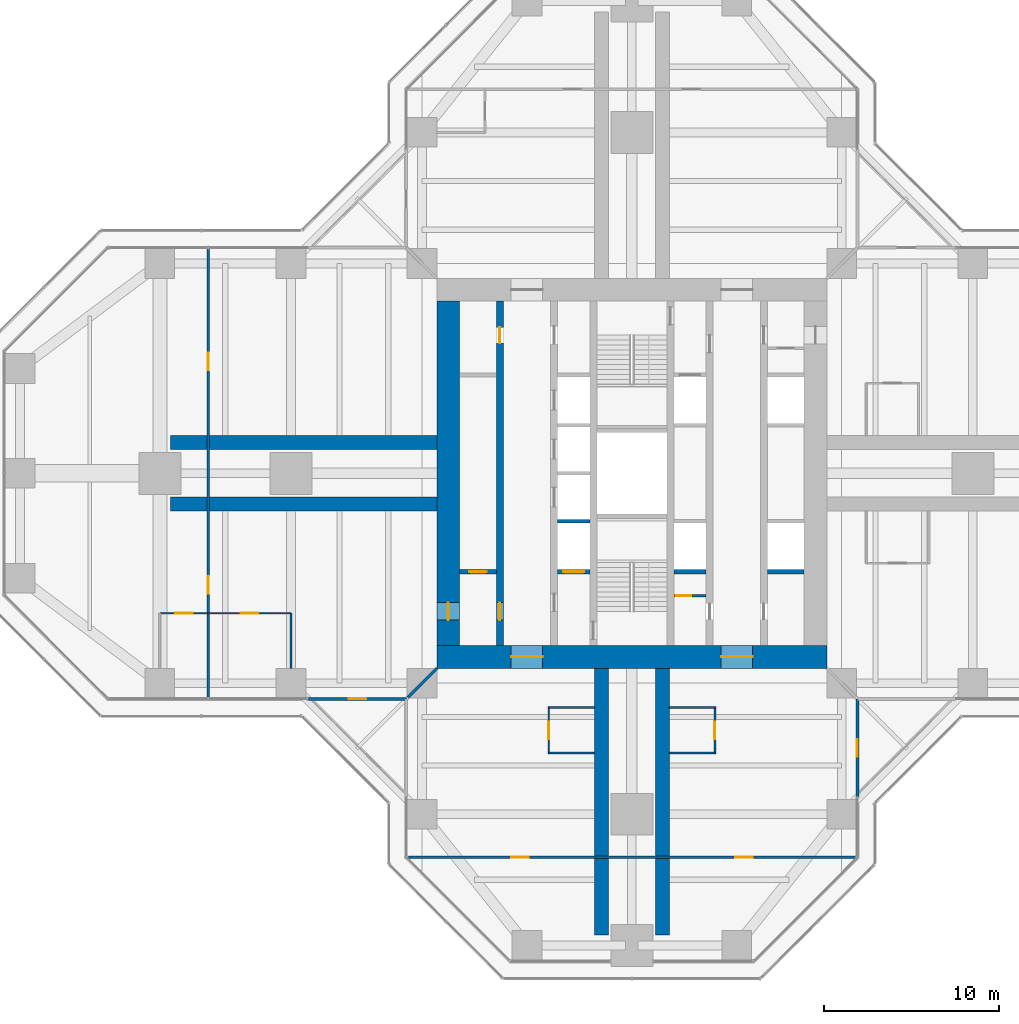
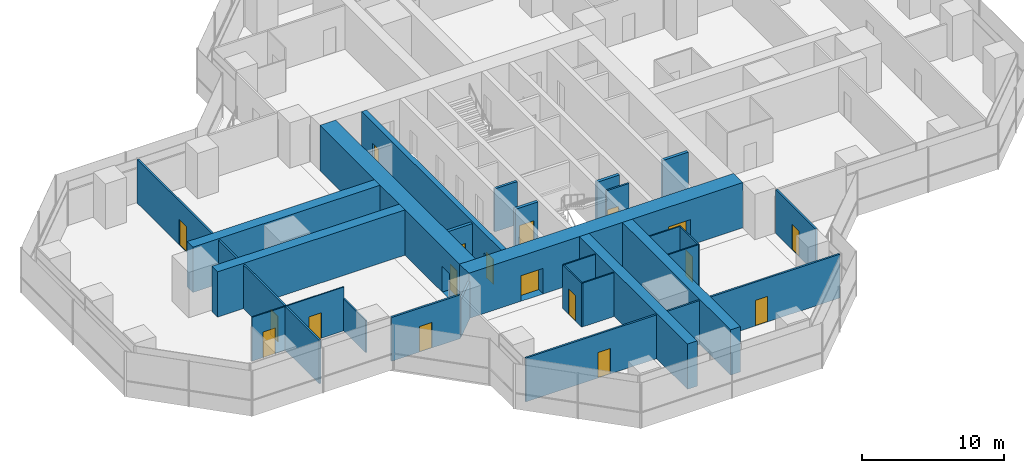
# One storey, part 15 of 19: 27 walls, 18 doors, 18 openings.
"""IFC4 building model written with IfcOpenShell, lengths in metres."""

import ifcopenshell
import ifcopenshell.guid

model = None  # the IFC model being written
_history = None  # IfcOwnerHistory: only IFC2X3 demands one
_inside = {}  # id of a spatial element -> (the spatial element, [elements in it])
_under = {}  # id of a project, library or spatial element -> (it, [spatial elements below it])
_declared = {}  # id of a project -> (the project, [libraries it declares])
_typed = {}  # id of a type object -> (the type object, [elements of that type])
_made_of = {}  # id of a material, layer set ... -> (it, [elements and type objects made of it])


def new_model(schema):
    """Start an empty IFC model of exactly this schema.

    Asked for "IFC4X3", IfcOpenShell would pick the latest addendum, in which some entities
    have other attributes; the version numbers below select the first issue.
    IFC2X3 requires an IfcOwnerHistory on every rooted entity: one is made here for all.
    """
    global model, _history
    if schema == "IFC4X3":
        model = ifcopenshell.file(schema_version=(4, 3, 0, 0))
    else:
        model = ifcopenshell.file(schema=schema)
    _inside.clear()
    _under.clear()
    _declared.clear()
    _typed.clear()
    _made_of.clear()
    _history = None
    if model.schema == "IFC2X3":
        org = make("IfcOrganization", Name="unknown")
        user = make(
            "IfcPersonAndOrganization",
            ThePerson=make("IfcPerson", FamilyName="unknown"),
            TheOrganization=org,
        )
        app = make(
            "IfcApplication",
            ApplicationDeveloper=org,
            Version="unknown",
            ApplicationFullName="unknown",
            ApplicationIdentifier="unknown",
        )
        _history = make(
            "IfcOwnerHistory",
            OwningUser=user,
            OwningApplication=app,
            ChangeAction="ADDED",
            CreationDate=0,
        )
    return model


def make(cls, **values):
    """One entity of the class cls with the attributes given. An attribute that is None is left unset."""
    return model.create_entity(
        cls, **{name: value for name, value in values.items() if value is not None}
    )


def rooted(cls, **values):
    """An entity with a GlobalId (a new one), such as an element, a storey or a relation."""
    return make(cls, GlobalId=ifcopenshell.guid.new(), OwnerHistory=_history, **values)


def si_unit(unit_type, name, prefix=None):
    """IfcSIUnit, for example si_unit("LENGTHUNIT", "METRE", prefix="MILLI")."""
    return make("IfcSIUnit", UnitType=unit_type, Prefix=prefix, Name=name)


def assignment(units):
    """IfcUnitAssignment: the units of a project."""
    return None if units is None else make("IfcUnitAssignment", Units=units)


def point(xyz):
    """IfcCartesianPoint."""
    return None if xyz is None else make("IfcCartesianPoint", Coordinates=xyz)


def direction(xyz):
    """IfcDirection."""
    return None if xyz is None else make("IfcDirection", DirectionRatios=xyz)


def frame(location, z_axis=None, x_axis=None):
    """IfcAxis2Placement3D, a coordinate frame: its origin and axes. An axis left out is left unset."""
    return make(
        "IfcAxis2Placement3D",
        Location=point(location),
        Axis=direction(z_axis),
        RefDirection=direction(x_axis),
    )


def frame_2d(location, x_axis=None):
    """IfcAxis2Placement2D, a coordinate frame in the plane: its origin and x axis."""
    return make(
        "IfcAxis2Placement2D", Location=point(location), RefDirection=direction(x_axis)
    )


def origin():
    """The frame at (0, 0, 0) with its axes left unset."""
    return frame((0.0, 0.0, 0.0))


def place(relative_to, where):
    """IfcLocalPlacement: puts the frame where relative to a parent placement (None: the world)."""
    return make(
        "IfcLocalPlacement", PlacementRelTo=relative_to, RelativePlacement=where
    )


def context(
    kind, dimensions, precision=None, world=None, true_north=None, identifier=None
):
    """IfcGeometricRepresentationContext, for example the 3D "Model" context."""
    return make(
        "IfcGeometricRepresentationContext",
        ContextIdentifier=identifier,
        ContextType=kind,
        CoordinateSpaceDimension=dimensions,
        Precision=precision,
        WorldCoordinateSystem=world,
        TrueNorth=true_north,
    )


def subcontext(parent, identifier, kind, view, scale=None):
    """IfcGeometricRepresentationSubContext, for example "Body" below "Model"."""
    return make(
        "IfcGeometricRepresentationSubContext",
        ContextIdentifier=identifier,
        ContextType=kind,
        ParentContext=parent,
        TargetScale=scale,
        TargetView=view,
    )


def project(units=None, contexts=None):
    """IfcProject with its units and contexts."""
    return rooted(
        "IfcProject",
        Name="project",
        RepresentationContexts=contexts,
        UnitsInContext=assignment(units),
    )


def spatial(cls, under=None, at=None, **own):
    """A site, building, storey or space (cls), placed at a placement, below another one or the project."""
    s = rooted(cls, ObjectPlacement=at, **own)
    if under is not None:
        _under.setdefault(under.id(), (under, []))[1].append(s)
    return s


def profile(cls, at=None, kind="AREA", **sizes):
    """A parametric profile (cls). Its sizes go by their IFC names, for example OverallWidth=200.0."""
    return make(cls, ProfileType=kind, Position=at, **sizes)


def rectangle(**sizes):
    """IfcRectangleProfileDef."""
    return profile("IfcRectangleProfileDef", **sizes)


def extrude(swept, where, along, depth):
    """IfcExtrudedAreaSolid: the profile swept, set in the frame where, extruded along a direction by depth."""
    return make(
        "IfcExtrudedAreaSolid",
        SweptArea=swept,
        Position=where,
        ExtrudedDirection=direction(along),
        Depth=depth,
    )


def shape(context_of_items, identifier, shape_type, items):
    """IfcShapeRepresentation: the items that make up one representation, for example the "Body"."""
    return make(
        "IfcShapeRepresentation",
        ContextOfItems=context_of_items,
        RepresentationIdentifier=identifier,
        RepresentationType=shape_type,
        Items=items,
    )


def material(Name=None, Category=None):
    """IfcMaterial."""
    return make("IfcMaterial", Name=Name, Category=Category)


def layer(
    of_material, thickness, ventilated=None, Name=None, Category=None, Priority=None
):
    """IfcMaterialLayer: one layer of a wall or slab, of a material (None: an air gap)."""
    return make(
        "IfcMaterialLayer",
        Material=of_material,
        LayerThickness=thickness,
        IsVentilated=ventilated,
        Name=Name,
        Category=Category,
        Priority=Priority,
    )


def layer_set(layers, Name=None):
    """IfcMaterialLayerSet."""
    return make("IfcMaterialLayerSet", MaterialLayers=layers, LayerSetName=Name)


def made_of(thing, what):
    """Note that an element or type object is made of a material, layer set ...; save() writes the relation."""
    if what is not None:
        _made_of.setdefault(what.id(), (what, []))[1].append(thing)
    return thing


def type_object(cls, material=None, **own):
    """A type object (cls), such as IfcWallType, which elements share."""
    return made_of(rooted(cls, **own), material)


def element(
    cls,
    number,
    at=None,
    inside=None,
    cuts=None,
    type_object=None,
    material=None,
    context=None,
    identifier="Body",
    shape_type=None,
    held_by="IfcProductDefinitionShape",
    body=None,
    shapes=None,
    **own,
):
    """One element of the class cls, such as IfcWall. Its Tag is "e" and its number.

    at: its placement. inside: the storey or other place that contains it. cuts: it is an
    opening in that element (IfcRelVoidsElement). A single representation is given by context,
    identifier, shape_type and body (its items); several are given by shapes. held_by: the class
    of the entity that holds the representations. save() writes the other relations.
    """
    e = rooted(cls, Tag="e%d" % number, ObjectPlacement=at, **own)
    if body is not None:
        shapes = [shape(context, identifier, shape_type, body)]
    if shapes is not None:
        e.Representation = make(held_by, Representations=shapes)
    if inside is not None:
        _inside.setdefault(inside.id(), (inside, []))[1].append(e)
    if cuts is not None:
        rooted(
            "IfcRelVoidsElement", RelatingBuildingElement=cuts, RelatedOpeningElement=e
        )
    if type_object is not None:
        _typed.setdefault(type_object.id(), (type_object, []))[1].append(e)
    return made_of(e, material)


def fill(opening, filler):
    """IfcRelFillsElement: the door or window that sits in an opening."""
    return rooted(
        "IfcRelFillsElement",
        RelatingOpeningElement=opening,
        RelatedBuildingElement=filler,
    )


def aggregate(whole, parts):
    """IfcRelAggregates: a whole, such as a stair, and the parts it consists of."""
    return rooted("IfcRelAggregates", RelatingObject=whole, RelatedObjects=parts)


def save(model, path):
    """Write the relations noted so far, then the file.

    IfcRelAggregates (storeys below a building ...), IfcRelContainedInSpatialStructure (elements
    in a storey), IfcRelDefinesByType, IfcRelAssociatesMaterial and IfcRelDeclares: one each for
    every whole, place, type object, material and project.
    """
    for whole, parts in _under.values():
        aggregate(whole, parts)
    for where, things in _inside.values():
        rooted(
            "IfcRelContainedInSpatialStructure",
            RelatedElements=things,
            RelatingStructure=where,
        )
    for kind, things in _typed.values():
        rooted("IfcRelDefinesByType", RelatedObjects=things, RelatingType=kind)
    for what, things in _made_of.values():
        rooted("IfcRelAssociatesMaterial", RelatedObjects=things, RelatingMaterial=what)
    for by, libraries in _declared.values():
        rooted("IfcRelDeclares", RelatingContext=by, RelatedDefinitions=libraries)
    model.write(path)


model = new_model("IFC4")

# Units and contexts
model_context = context("Model", 3, precision=1e-05, world=origin(), true_north=direction((0.0, 1.0)))
body_context = subcontext(model_context, "Body", "Model", "MODEL_VIEW")
ifc_project = project(units=[si_unit("LENGTHUNIT", "METRE"), si_unit("AREAUNIT", "SQUARE_METRE"), si_unit("VOLUMEUNIT", "CUBIC_METRE"), si_unit("PLANEANGLEUNIT", "RADIAN"), si_unit("MASSUNIT", "GRAM", prefix="KILO")], contexts=[model_context])

# Site, building, storey
site_placement = place(None, origin())
site = spatial("IfcSite", under=ifc_project, at=site_placement, CompositionType="ELEMENT")
building_placement = place(site_placement, origin())
building = spatial("IfcBuilding", under=site, at=building_placement, Name="Mizan Broadcast Tower", CompositionType="ELEMENT")
storey_placement = place(building_placement, frame((0.0, 0.0, 182.699951171875)))
storey = spatial("IfcBuildingStorey", under=building, at=storey_placement, Name="L42", CompositionType="ELEMENT", Elevation=182.699951171875)

# Wall, openings, doors
ifc_material_1 = material(Name="Concrete C70/85", Category="concrete")
ifc_layer_1 = layer(ifc_material_1, 0.39990234375)
ifc_layer_set_1 = layer_set([ifc_layer_1], Name="Concrete C70/85")
wall_type_1 = type_object("IfcWallType", Name="CORE INTERNAL WALL 400", PredefinedType="SHEAR", material=ifc_layer_set_1)
wall_1_placement = place(storey_placement, frame((-7.550048828125, -9.85009765625, 0.0), z_axis=(0.0, 0.0, 1.0), x_axis=(0.0, 1.0, 0.0)))
wall_1 = element("IfcWall", 1, at=wall_1_placement, inside=storey, type_object=wall_type_1, Name="Core wall CORE/XW1", PredefinedType="SHEAR", context=body_context, shape_type="SweptSolid", body=[
    extrude(rectangle(XDim=19.7001953125, YDim=0.39990234375, at=frame_2d((9.85009765625, 0.0))), origin(), (0.0, 0.0, 1.0), 3.900146484375),
])
opening_1_placement = place(wall_1_placement, frame((1.449951171875, 0.0, 0.0)))
opening_1 = element("IfcOpeningElement", 2, at=opening_1_placement, cuts=wall_1, Name="Opening D10F", PredefinedType="OPENING", context=body_context, shape_type="SweptSolid", body=[
    extrude(rectangle(XDim=1.0, YDim=2.199951171875, at=frame_2d((0.5, 1.10009765625))), frame((0.0, 0.2099609375, 0.0), z_axis=(0.0, -1.0, 0.0), x_axis=(1.0, 0.0, 0.0)), (0.0, 0.0, 1.0), 0.419921875),
])
opening_2_placement = place(wall_1_placement, frame((17.300048828125, 0.0, 0.0)))
opening_2 = element("IfcOpeningElement", 3, at=opening_2_placement, cuts=wall_1, Name="Opening D09", PredefinedType="OPENING", context=body_context, shape_type="SweptSolid", body=[
    extrude(rectangle(XDim=0.89990234375, YDim=2.10009765625, at=frame_2d((0.449951171875, 1.050048828125))), frame((0.0, 0.2099609375, 0.0), z_axis=(0.0, -1.0, 0.0), x_axis=(1.0, 0.0, 0.0)), (0.0, 0.0, 1.0), 0.419921875),
])
ifc_material_2 = material(Name="Steel door leaf in steel frame", Category="steel")
door_type_1 = type_object("IfcDoorType", Name="FIRE DOOR 1000 FD90", OperationType="SINGLE_SWING_LEFT", PredefinedType="DOOR", material=ifc_material_2)
door_1_placement = place(opening_1_placement, origin())
door_1 = element("IfcDoor", 4, at=door_1_placement, inside=storey, type_object=door_type_1, Name="West core passage door", OperationType="SINGLE_SWING_LEFT", OverallHeight=2.199951171875, OverallWidth=1.0, PredefinedType="DOOR", context=body_context, shape_type="SweptSolid", body=[
    extrude(rectangle(XDim=1.0, YDim=2.199951171875, at=frame_2d((0.5, 1.10009765625))), frame((0.0, 0.02490234375, 0.0), z_axis=(0.0, -1.0, 0.0), x_axis=(1.0, 0.0, 0.0)), (0.0, 0.0, 1.0), 0.050048828125),
])
fill(opening_1, door_1)
ifc_material_3 = material(Name="Timber door leaf in aluminium frame", Category="wood")
door_type_2 = type_object("IfcDoorType", Name="TOILET DOOR 900", OperationType="SINGLE_SWING_LEFT", PredefinedType="DOOR", material=ifc_material_3)
door_2_placement = place(opening_2_placement, origin())
door_2 = element("IfcDoor", 5, at=door_2_placement, inside=storey, type_object=door_type_2, Name="Male WC door", OperationType="SINGLE_SWING_RIGHT", OverallHeight=2.10009765625, OverallWidth=0.89990234375, PredefinedType="DOOR", context=body_context, shape_type="SweptSolid", body=[
    extrude(rectangle(XDim=0.89990234375, YDim=2.10009765625, at=frame_2d((0.449951171875, 1.050048828125))), frame((0.0, 0.02490234375, 0.0), z_axis=(0.0, -1.0, 0.0), x_axis=(1.0, 0.0, 0.0)), (0.0, 0.0, 1.0), 0.050048828125),
])
fill(opening_2, door_2)

# Wall, opening, door
ifc_material_4 = material(Name="Concrete blockwork", Category="masonry")
ifc_layer_2 = layer(ifc_material_4, 0.14990234375)
ifc_layer_set_2 = layer_set([ifc_layer_2], Name="Concrete blockwork")
wall_type_2 = type_object("IfcWallType", Name="CORE PARTITION 150", PredefinedType="SOLIDWALL", material=ifc_layer_set_2)
wall_2_placement = place(storey_placement, frame((2.39990234375, -7.0, 0.0), z_axis=(0.0, 0.0, 1.0), x_axis=(1.0, 0.0, 0.0)))
wall_2 = element("IfcWall", 6, at=wall_2_placement, inside=storey, type_object=wall_type_2, Name="Core partition CORE/XPC", PredefinedType="SOLIDWALL", context=body_context, shape_type="SweptSolid", body=[
    extrude(rectangle(XDim=1.85009765625, YDim=0.14990234375, at=frame_2d((0.925048828125, 0.0))), origin(), (0.0, 0.0, 1.0), 3.77001953125),
])
opening_3_placement = place(wall_2_placement, frame((0.10009765625, 0.0, 0.0)))
opening_3 = element("IfcOpeningElement", 7, at=opening_3_placement, cuts=wall_2, Name="Opening D09F", PredefinedType="OPENING", context=body_context, shape_type="SweptSolid", body=[
    extrude(rectangle(XDim=0.89990234375, YDim=2.10009765625, at=frame_2d((0.449951171875, 1.050048828125))), frame((0.0, 0.0849609375, 0.0), z_axis=(0.0, -1.0, 0.0), x_axis=(1.0, 0.0, 0.0)), (0.0, 0.0, 1.0), 0.169921875),
])
ifc_material_5 = material(Name="Steel door leaf in steel frame", Category="steel")
door_type_3 = type_object("IfcDoorType", Name="CORE ROOM DOOR 900 FD90", OperationType="SINGLE_SWING_LEFT", PredefinedType="DOOR", material=ifc_material_5)
door_3_placement = place(opening_3_placement, origin())
door_3 = element("IfcDoor", 8, at=door_3_placement, inside=storey, type_object=door_type_3, Name="Cleaning materials store door", OperationType="SINGLE_SWING_LEFT", OverallHeight=2.10009765625, OverallWidth=0.89990234375, PredefinedType="DOOR", context=body_context, shape_type="SweptSolid", body=[
    extrude(rectangle(XDim=0.89990234375, YDim=2.10009765625, at=frame_2d((0.449951171875, 1.050048828125))), frame((0.0, 0.02490234375, 0.0), z_axis=(0.0, -1.0, 0.0), x_axis=(1.0, 0.0, 0.0)), (0.0, 0.0, 1.0), 0.050048828125),
])
fill(opening_3, door_3)

# Wall, openings, doors
ifc_material_6 = material(Name="Concrete C70/85", Category="concrete")
ifc_layer_3 = layer(ifc_material_6, 1.300048828125)
ifc_layer_set_3 = layer_set([ifc_layer_3], Name="Concrete C70/85")
wall_type_3 = type_object("IfcWallType", Name="CORE WALL 1300", PredefinedType="SHEAR", material=ifc_layer_set_3)
wall_3_placement = place(storey_placement, frame((11.14990234375, -10.5, 0.0), z_axis=(0.0, 0.0, 1.0), x_axis=(-1.0, 0.0, 0.0)))
wall_3 = element("IfcWall", 9, at=wall_3_placement, inside=storey, type_object=wall_type_3, Name="Core wall S L42", PredefinedType="SHEAR", context=body_context, shape_type="SweptSolid", body=[
    extrude(rectangle(XDim=22.2998046875, YDim=1.300048828125, at=frame_2d((11.14990234375, 0.0))), origin(), (0.0, 0.0, 1.0), 3.900146484375),
])
opening_4_placement = place(wall_3_placement, frame((16.25, 0.0, 0.0)))
opening_4 = element("IfcOpeningElement", 10, at=opening_4_placement, cuts=wall_3, Name="Opening D18F", PredefinedType="OPENING", context=body_context, shape_type="SweptSolid", body=[
    extrude(rectangle(XDim=1.800048828125, YDim=2.199951171875, at=frame_2d((0.89990234375, 1.10009765625))), frame((0.0, 0.659912109375, 0.0), z_axis=(0.0, -1.0, 0.0), x_axis=(1.0, 0.0, 0.0)), (0.0, 0.0, 1.0), 1.320068359375),
])
opening_5_placement = place(wall_3_placement, frame((4.25, 0.0, 0.0)))
opening_5 = element("IfcOpeningElement", 11, at=opening_5_placement, cuts=wall_3, Name="Opening D18F", PredefinedType="OPENING", context=body_context, shape_type="SweptSolid", body=[
    extrude(rectangle(XDim=1.800048828125, YDim=2.199951171875, at=frame_2d((0.89990234375, 1.10009765625))), frame((0.0, 0.659912109375, 0.0), z_axis=(0.0, -1.0, 0.0), x_axis=(1.0, 0.0, 0.0)), (0.0, 0.0, 1.0), 1.320068359375),
])
ifc_material_7 = material(Name="Steel door leaf in steel frame", Category="steel")
door_type_4 = type_object("IfcDoorType", Name="LOBBY DOUBLE DOOR 1800 FD90", OperationType="DOUBLE_DOOR_DOUBLE_SWING", PredefinedType="DOOR", material=ifc_material_7)
door_4_placement = place(opening_4_placement, origin())
door_4 = element("IfcDoor", 12, at=door_4_placement, inside=storey, type_object=door_type_4, Name="West lift lobby south door", OperationType="DOUBLE_DOOR_DOUBLE_SWING", OverallHeight=2.199951171875, OverallWidth=1.800048828125, PredefinedType="DOOR", context=body_context, shape_type="SweptSolid", body=[
    extrude(rectangle(XDim=1.800048828125, YDim=2.199951171875, at=frame_2d((0.89990234375, 1.10009765625))), frame((0.0, 0.02490234375, 0.0), z_axis=(0.0, -1.0, 0.0), x_axis=(1.0, 0.0, 0.0)), (0.0, 0.0, 1.0), 0.050048828125),
])
fill(opening_4, door_4)
door_5_placement = place(opening_5_placement, origin())
door_5 = element("IfcDoor", 13, at=door_5_placement, inside=storey, type_object=door_type_4, Name="East lift lobby south door", OperationType="DOUBLE_DOOR_DOUBLE_SWING", OverallHeight=2.199951171875, OverallWidth=1.800048828125, PredefinedType="DOOR", context=body_context, shape_type="SweptSolid", body=[
    extrude(rectangle(XDim=1.800048828125, YDim=2.199951171875, at=frame_2d((0.89990234375, 1.10009765625))), frame((0.0, 0.02490234375, 0.0), z_axis=(0.0, -1.0, 0.0), x_axis=(1.0, 0.0, 0.0)), (0.0, 0.0, 1.0), 0.050048828125),
])
fill(opening_5, door_5)

# Wall, opening, door
wall_4_placement = place(storey_placement, frame((-10.5, 9.85009765625, 0.0), z_axis=(0.0, 0.0, 1.0), x_axis=(0.0, -1.0, 0.0)))
wall_4 = element("IfcWall", 14, at=wall_4_placement, inside=storey, type_object=wall_type_3, Name="Core wall W L42", PredefinedType="SHEAR", context=body_context, shape_type="SweptSolid", body=[
    extrude(rectangle(XDim=19.7001953125, YDim=1.300048828125, at=frame_2d((9.85009765625, 0.0))), origin(), (0.0, 0.0, 1.0), 3.900146484375),
])
opening_6_placement = place(wall_4_placement, frame((17.25, 0.0, 0.0)))
opening_6 = element("IfcOpeningElement", 15, at=opening_6_placement, cuts=wall_4, Name="Opening D10F", PredefinedType="OPENING", context=body_context, shape_type="SweptSolid", body=[
    extrude(rectangle(XDim=1.0, YDim=2.199951171875, at=frame_2d((0.5, 1.10009765625))), frame((0.0, 0.659912109375, 0.0), z_axis=(0.0, -1.0, 0.0), x_axis=(1.0, 0.0, 0.0)), (0.0, 0.0, 1.0), 1.320068359375),
])
door_6_placement = place(opening_6_placement, origin())
door_6 = element("IfcDoor", 16, at=door_6_placement, inside=storey, type_object=door_type_1, Name="West core passage arm door", OperationType="SINGLE_SWING_RIGHT", OverallHeight=2.199951171875, OverallWidth=1.0, PredefinedType="DOOR", context=body_context, shape_type="SweptSolid", body=[
    extrude(rectangle(XDim=1.0, YDim=2.199951171875, at=frame_2d((0.5, 1.10009765625))), frame((0.0, 0.02490234375, 0.0), z_axis=(0.0, -1.0, 0.0), x_axis=(1.0, 0.0, 0.0)), (0.0, 0.0, 1.0), 0.050048828125),
])
fill(opening_6, door_6)

ifc_material_8 = material(Name="Aluminium framed glazed screen", Category="aluminium")
ifc_layer_4 = layer(ifc_material_8, 0.159912109375)
ifc_layer_set_4 = layer_set([ifc_layer_4], Name="Aluminium framed glazed screen")
wall_type_4 = type_object("IfcWallType", Name="GLAZED SCREEN WALL 160", PredefinedType="SOLIDWALL", material=ifc_layer_set_4)
wall_5_placement = place(storey_placement, frame((-18.5, -12.89990234375, 0.0), z_axis=(0.0, 0.0, 1.0), x_axis=(1.0, 0.0, 0.0)))
wall_5 = element("IfcWall", 17, at=wall_5_placement, inside=storey, type_object=wall_type_4, Name="Winter garden screen L42 W", PredefinedType="SOLIDWALL", context=body_context, shape_type="SweptSolid", body=[
    extrude(rectangle(XDim=5.60009765625, YDim=0.159912109375, at=frame_2d((2.800048828125, 0.0))), origin(), (0.0, 0.0, 1.0), 3.77001953125),
])
opening_7_placement = place(wall_5_placement, frame((2.300048828125, 0.0, 0.0)))
opening_7 = element("IfcOpeningElement", 18, at=opening_7_placement, cuts=wall_5, Name="Opening WGD", PredefinedType="OPENING", context=body_context, shape_type="SweptSolid", body=[
    extrude(rectangle(XDim=1.0, YDim=2.199951171875, at=frame_2d((0.5, 1.10009765625))), frame((0.0, 0.08984375, 0.0), z_axis=(0.0, -1.0, 0.0), x_axis=(1.0, 0.0, 0.0)), (0.0, 0.0, 1.0), 0.179931640625),
])
ifc_material_9 = material(Name="Aluminium framed glazed door", Category="aluminium")
door_type_5 = type_object("IfcDoorType", Name="WINTER GARDEN DOOR 1000 GLAZED", OperationType="SINGLE_SWING_LEFT", PredefinedType="DOOR", material=ifc_material_9)
door_7_placement = place(opening_7_placement, origin())
door_7 = element("IfcDoor", 19, at=door_7_placement, inside=storey, type_object=door_type_5, Name="Winter garden door L42 W", OperationType="SINGLE_SWING_RIGHT", OverallHeight=2.199951171875, OverallWidth=1.0, PredefinedType="DOOR", context=body_context, shape_type="SweptSolid", body=[
    extrude(rectangle(XDim=1.0, YDim=2.199951171875, at=frame_2d((0.5, 1.10009765625))), frame((0.0, 0.02490234375, 0.0), z_axis=(0.0, -1.0, 0.0), x_axis=(1.0, 0.0, 0.0)), (0.0, 0.0, 1.0), 0.050048828125),
])
fill(opening_7, door_7)

wall_6_placement = place(storey_placement, frame((12.89990234375, -18.5, 0.0), z_axis=(0.0, 0.0, 1.0), x_axis=(0.0, 1.0, 0.0)))
wall_6 = element("IfcWall", 20, at=wall_6_placement, inside=storey, type_object=wall_type_4, Name="Winter garden screen L42 S", PredefinedType="SOLIDWALL", context=body_context, shape_type="SweptSolid", body=[
    extrude(rectangle(XDim=5.60009765625, YDim=0.159912109375, at=frame_2d((2.800048828125, 0.0))), origin(), (0.0, 0.0, 1.0), 3.77001953125),
])
opening_8_placement = place(wall_6_placement, frame((2.300048828125, 0.0, 0.0)))
opening_8 = element("IfcOpeningElement", 21, at=opening_8_placement, cuts=wall_6, Name="Opening WGD", PredefinedType="OPENING", context=body_context, shape_type="SweptSolid", body=[
    extrude(rectangle(XDim=1.0, YDim=2.199951171875, at=frame_2d((0.5, 1.10009765625))), frame((0.0, 0.08984375, 0.0), z_axis=(0.0, -1.0, 0.0), x_axis=(1.0, 0.0, 0.0)), (0.0, 0.0, 1.0), 0.179931640625),
])
door_8_placement = place(opening_8_placement, origin())
door_8 = element("IfcDoor", 22, at=door_8_placement, inside=storey, type_object=door_type_5, Name="Winter garden door L42 S", OperationType="SINGLE_SWING_RIGHT", OverallHeight=2.199951171875, OverallWidth=1.0, PredefinedType="DOOR", context=body_context, shape_type="SweptSolid", body=[
    extrude(rectangle(XDim=1.0, YDim=2.199951171875, at=frame_2d((0.5, 1.10009765625))), frame((0.0, 0.02490234375, 0.0), z_axis=(0.0, -1.0, 0.0), x_axis=(1.0, 0.0, 0.0)), (0.0, 0.0, 1.0), 0.050048828125),
])
fill(opening_8, door_8)

# Wall
ifc_material_10 = material(Name="Concrete blockwork", Category="masonry")
ifc_layer_5 = layer(ifc_material_10, 0.199951171875)
ifc_layer_set_5 = layer_set([ifc_layer_5], Name="Concrete blockwork")
wall_type_5 = type_object("IfcWallType", Name="LIFT SHAFT WALL 200", PredefinedType="SOLIDWALL", material=ifc_layer_set_5)
wall_7_placement = place(storey_placement, frame((-4.25, -2.75, 0.0), z_axis=(0.0, 0.0, 1.0), x_axis=(1.0, 0.0, 0.0)))
element("IfcWall", 23, at=wall_7_placement, inside=storey, type_object=wall_type_5, Name="Lift shaft wall CORE/SW2-1", PredefinedType="SOLIDWALL", context=body_context, shape_type="SweptSolid", body=[
    extrude(rectangle(XDim=1.85009765625, YDim=0.199951171875, at=frame_2d((0.925048828125, 0.0))), origin(), (0.0, 0.0, 1.0), 3.699951171875),
])

# Wall, opening, door
ifc_material_11 = material(Name="Concrete blockwork", Category="masonry")
ifc_layer_6 = layer(ifc_material_11, 0.25)
ifc_layer_set_6 = layer_set([ifc_layer_6], Name="Concrete blockwork")
wall_type_6 = type_object("IfcWallType", Name="LOBBY ENCLOSURE WALL 250", PredefinedType="SOLIDWALL", material=ifc_layer_set_6)
wall_8_placement = place(storey_placement, frame((-9.85009765625, -5.625, 0.0), z_axis=(0.0, 0.0, 1.0), x_axis=(1.0, 0.0, 0.0)))
wall_8 = element("IfcWall", 24, at=wall_8_placement, inside=storey, type_object=wall_type_6, Name="Lobby enclosure wall CORE/BW1S", PredefinedType="SOLIDWALL", context=body_context, shape_type="SweptSolid", body=[
    extrude(rectangle(XDim=2.10009765625, YDim=0.25, at=frame_2d((1.050048828125, 0.0))), origin(), (0.0, 0.0, 1.0), 3.699951171875),
])
opening_9_placement = place(wall_8_placement, frame((0.550048828125, 0.0, 0.0)))
opening_9 = element("IfcOpeningElement", 25, at=opening_9_placement, cuts=wall_8, Name="Opening D10F", PredefinedType="OPENING", context=body_context, shape_type="SweptSolid", body=[
    extrude(rectangle(XDim=1.0, YDim=2.199951171875, at=frame_2d((0.5, 1.10009765625))), frame((0.0, 0.135009765625, 0.0), z_axis=(0.0, -1.0, 0.0), x_axis=(1.0, 0.0, 0.0)), (0.0, 0.0, 1.0), 0.27001953125),
])
door_9_placement = place(opening_9_placement, origin())
door_9 = element("IfcDoor", 26, at=door_9_placement, inside=storey, type_object=door_type_1, Name="Furniture store door", OperationType="SINGLE_SWING_RIGHT", OverallHeight=2.199951171875, OverallWidth=1.0, PredefinedType="DOOR", context=body_context, shape_type="SweptSolid", body=[
    extrude(rectangle(XDim=1.0, YDim=2.199951171875, at=frame_2d((0.5, 1.10009765625))), frame((0.0, 0.02490234375, 0.0), z_axis=(0.0, -1.0, 0.0), x_axis=(1.0, 0.0, 0.0)), (0.0, 0.0, 1.0), 0.050048828125),
])
fill(opening_9, door_9)

wall_9_placement = place(storey_placement, frame((-4.25, -5.625, 0.0), z_axis=(0.0, 0.0, 1.0), x_axis=(1.0, 0.0, 0.0)))
wall_9 = element("IfcWall", 27, at=wall_9_placement, inside=storey, type_object=wall_type_6, Name="Lobby enclosure wall CORE/BW2S", PredefinedType="SOLIDWALL", context=body_context, shape_type="SweptSolid", body=[
    extrude(rectangle(XDim=1.85009765625, YDim=0.25, at=frame_2d((0.925048828125, 0.0))), origin(), (0.0, 0.0, 1.0), 3.699951171875),
])
opening_10_placement = place(wall_9_placement, frame((0.324951171875, 0.0, 0.0)))
opening_10 = element("IfcOpeningElement", 28, at=opening_10_placement, cuts=wall_9, Name="Opening LDF", PredefinedType="OPENING", context=body_context, shape_type="SweptSolid", body=[
    extrude(rectangle(XDim=1.199951171875, YDim=2.199951171875, at=frame_2d((0.60009765625, 1.10009765625))), frame((0.0, 0.135009765625, 0.0), z_axis=(0.0, -1.0, 0.0), x_axis=(1.0, 0.0, 0.0)), (0.0, 0.0, 1.0), 0.27001953125),
])
ifc_material_12 = material(Name="Steel door leaf in steel frame", Category="steel")
door_type_6 = type_object("IfcDoorType", Name="FIREFIGHTING LIFT LANDING DOOR 1200", OperationType="SLIDING_TO_LEFT", PredefinedType="DOOR", material=ifc_material_12)
door_10_placement = place(opening_10_placement, origin())
door_10 = element("IfcDoor", 29, at=door_10_placement, inside=storey, type_object=door_type_6, Name="Landing door FF1", OperationType="SLIDING_TO_LEFT", OverallHeight=2.199951171875, OverallWidth=1.199951171875, PredefinedType="DOOR", context=body_context, shape_type="SweptSolid", body=[
    extrude(rectangle(XDim=1.199951171875, YDim=2.199951171875, at=frame_2d((0.60009765625, 1.10009765625))), frame((0.0, 0.02490234375, 0.0), z_axis=(0.0, -1.0, 0.0), x_axis=(1.0, 0.0, 0.0)), (0.0, 0.0, 1.0), 0.050048828125),
])
fill(opening_10, door_10)

# Walls
wall_10_placement = place(storey_placement, frame((2.39990234375, -5.625, 0.0), z_axis=(0.0, 0.0, 1.0), x_axis=(1.0, 0.0, 0.0)))
element("IfcWall", 30, at=wall_10_placement, inside=storey, type_object=wall_type_6, Name="Lobby enclosure wall CORE/BE2S", PredefinedType="SOLIDWALL", context=body_context, shape_type="SweptSolid", body=[
    extrude(rectangle(XDim=1.85009765625, YDim=0.25, at=frame_2d((0.925048828125, 0.0))), origin(), (0.0, 0.0, 1.0), 3.699951171875),
])
wall_11_placement = place(storey_placement, frame((7.75, -5.625, 0.0), z_axis=(0.0, 0.0, 1.0), x_axis=(1.0, 0.0, 0.0)))
element("IfcWall", 31, at=wall_11_placement, inside=storey, type_object=wall_type_6, Name="Lobby enclosure wall CORE/BE1S", PredefinedType="SOLIDWALL", context=body_context, shape_type="SweptSolid", body=[
    extrude(rectangle(XDim=2.10009765625, YDim=0.25, at=frame_2d((1.050048828125, 0.0))), origin(), (0.0, 0.0, 1.0), 3.699951171875),
])

# Wall, openings, doors
ifc_material_13 = material(Name="Gypsum board on steel studs", Category="steel")
ifc_layer_7 = layer(ifc_material_13, 0.14990234375)
ifc_layer_set_7 = layer_set([ifc_layer_7], Name="Gypsum board on steel studs")
wall_type_7 = type_object("IfcWallType", Name="PARTITION 150", PredefinedType="PARTITIONING", material=ifc_layer_set_7)
wall_12_placement = place(storey_placement, frame((-24.22900390625, 12.820068359375, 0.0), z_axis=(0.0, 0.0, 1.0), x_axis=(0.0, -1.0, 0.0)))
wall_12 = element("IfcWall", 32, at=wall_12_placement, inside=storey, type_object=wall_type_7, Name="Partition PT/WX1", PredefinedType="PARTITIONING", context=body_context, shape_type="SweptSolid", body=[
    extrude(rectangle(XDim=25.64013671875, YDim=0.14990234375, at=frame_2d((12.820068359375, 0.0))), origin(), (0.0, 0.0, 1.0), 3.77001953125),
])
opening_11_placement = place(wall_12_placement, frame((18.719970703125, 0.0, 0.0)))
opening_11 = element("IfcOpeningElement", 33, at=opening_11_placement, cuts=wall_12, Name="Opening D10", PredefinedType="OPENING", context=body_context, shape_type="SweptSolid", body=[
    extrude(rectangle(XDim=1.0, YDim=2.199951171875, at=frame_2d((0.5, 1.10009765625))), frame((0.0, 0.0849609375, 0.0), z_axis=(0.0, -1.0, 0.0), x_axis=(1.0, 0.0, 0.0)), (0.0, 0.0, 1.0), 0.169921875),
])
opening_12_placement = place(wall_12_placement, frame((5.919921875, 0.0, 0.0)))
opening_12 = element("IfcOpeningElement", 34, at=opening_12_placement, cuts=wall_12, Name="Opening D10", PredefinedType="OPENING", context=body_context, shape_type="SweptSolid", body=[
    extrude(rectangle(XDim=1.0, YDim=2.199951171875, at=frame_2d((0.5, 1.10009765625))), frame((0.0, 0.0849609375, 0.0), z_axis=(0.0, -1.0, 0.0), x_axis=(1.0, 0.0, 0.0)), (0.0, 0.0, 1.0), 0.169921875),
])
ifc_material_14 = material(Name="Timber door leaf in aluminium frame", Category="wood")
door_type_7 = type_object("IfcDoorType", Name="ROOM DOOR 1000", OperationType="SINGLE_SWING_LEFT", PredefinedType="DOOR", material=ifc_material_14)
door_11_placement = place(opening_11_placement, origin())
door_11 = element("IfcDoor", 35, at=door_11_placement, inside=storey, type_object=door_type_7, Name="Meeting room door", OperationType="SINGLE_SWING_RIGHT", OverallHeight=2.199951171875, OverallWidth=1.0, PredefinedType="DOOR", context=body_context, shape_type="SweptSolid", body=[
    extrude(rectangle(XDim=1.0, YDim=2.199951171875, at=frame_2d((0.5, 1.10009765625))), frame((0.0, 0.02490234375, 0.0), z_axis=(0.0, -1.0, 0.0), x_axis=(1.0, 0.0, 0.0)), (0.0, 0.0, 1.0), 0.050048828125),
])
fill(opening_11, door_11)
door_12_placement = place(opening_12_placement, origin())
door_12 = element("IfcDoor", 36, at=door_12_placement, inside=storey, type_object=door_type_7, Name="Meeting room door", OperationType="SINGLE_SWING_LEFT", OverallHeight=2.199951171875, OverallWidth=1.0, PredefinedType="DOOR", context=body_context, shape_type="SweptSolid", body=[
    extrude(rectangle(XDim=1.0, YDim=2.199951171875, at=frame_2d((0.5, 1.10009765625))), frame((0.0, 0.02490234375, 0.0), z_axis=(0.0, -1.0, 0.0), x_axis=(1.0, 0.0, 0.0)), (0.0, 0.0, 1.0), 0.050048828125),
])
fill(opening_12, door_12)

wall_13_placement = place(storey_placement, frame((-12.786376953125, -21.958984375, 0.0), z_axis=(0.0, 0.0, 1.0), x_axis=(1.0, 0.0, 0.0)))
wall_13 = element("IfcWall", 37, at=wall_13_placement, inside=storey, type_object=wall_type_7, Name="Partition PT/SX1", PredefinedType="PARTITIONING", context=body_context, shape_type="SweptSolid", body=[
    extrude(rectangle(XDim=25.57275390625, YDim=0.14990234375, at=frame_2d((12.786376953125, 0.0))), origin(), (0.0, 0.0, 1.0), 3.77001953125),
])
opening_13_placement = place(wall_13_placement, frame((18.6865234375, 0.0, 0.0)))
opening_13 = element("IfcOpeningElement", 38, at=opening_13_placement, cuts=wall_13, Name="Opening D10", PredefinedType="OPENING", context=body_context, shape_type="SweptSolid", body=[
    extrude(rectangle(XDim=1.0, YDim=2.199951171875, at=frame_2d((0.5, 1.10009765625))), frame((0.0, 0.0849609375, 0.0), z_axis=(0.0, -1.0, 0.0), x_axis=(1.0, 0.0, 0.0)), (0.0, 0.0, 1.0), 0.169921875),
])
opening_14_placement = place(wall_13_placement, frame((5.886474609375, 0.0, 0.0)))
opening_14 = element("IfcOpeningElement", 39, at=opening_14_placement, cuts=wall_13, Name="Opening D10", PredefinedType="OPENING", context=body_context, shape_type="SweptSolid", body=[
    extrude(rectangle(XDim=1.0, YDim=2.199951171875, at=frame_2d((0.5, 1.10009765625))), frame((0.0, 0.0849609375, 0.0), z_axis=(0.0, -1.0, 0.0), x_axis=(1.0, 0.0, 0.0)), (0.0, 0.0, 1.0), 0.169921875),
])
door_13_placement = place(opening_13_placement, origin())
door_13 = element("IfcDoor", 40, at=door_13_placement, inside=storey, type_object=door_type_7, Name="Meeting room door", OperationType="SINGLE_SWING_RIGHT", OverallHeight=2.199951171875, OverallWidth=1.0, PredefinedType="DOOR", context=body_context, shape_type="SweptSolid", body=[
    extrude(rectangle(XDim=1.0, YDim=2.199951171875, at=frame_2d((0.5, 1.10009765625))), frame((0.0, 0.02490234375, 0.0), z_axis=(0.0, -1.0, 0.0), x_axis=(1.0, 0.0, 0.0)), (0.0, 0.0, 1.0), 0.050048828125),
])
fill(opening_13, door_13)
door_14_placement = place(opening_14_placement, origin())
door_14 = element("IfcDoor", 41, at=door_14_placement, inside=storey, type_object=door_type_7, Name="Meeting room door", OperationType="SINGLE_SWING_LEFT", OverallHeight=2.199951171875, OverallWidth=1.0, PredefinedType="DOOR", context=body_context, shape_type="SweptSolid", body=[
    extrude(rectangle(XDim=1.0, YDim=2.199951171875, at=frame_2d((0.5, 1.10009765625))), frame((0.0, 0.02490234375, 0.0), z_axis=(0.0, -1.0, 0.0), x_axis=(1.0, 0.0, 0.0)), (0.0, 0.0, 1.0), 0.050048828125),
])
fill(opening_14, door_14)

# Wall
wall_14_placement = place(storey_placement, frame((-11.14990234375, -11.14990234375, 0.0), z_axis=(0.0, 0.0, 1.0), x_axis=(-0.707106781187, -0.707106781187, 0.0)))
element("IfcWall", 42, at=wall_14_placement, inside=storey, type_object=wall_type_7, Name="Partition PT/DGWS", PredefinedType="PARTITIONING", context=body_context, shape_type="SweptSolid", body=[
    extrude(rectangle(XDim=2.362060546875, YDim=0.14990234375, at=frame_2d((1.18115234375, 0.0))), origin(), (0.0, 0.0, 1.0), 3.219970703125),
])

# Wall, opening, door
ifc_material_15 = material(Name="Glazed aluminium partition on aluminium track", Category="aluminium")
ifc_layer_8 = layer(ifc_material_15, 0.10009765625)
ifc_layer_set_8 = layer_set([ifc_layer_8], Name="Glazed aluminium partition on aluminium track")
wall_type_8 = type_object("IfcWallType", Name="PARTITION GLAZED OFFICE FRONT 100", PredefinedType="PARTITIONING", material=ifc_layer_set_8)
wall_15_placement = place(storey_placement, frame((-19.5, -8.0, 0.0), z_axis=(0.0, 0.0, 1.0), x_axis=(-1.0, 0.0, 0.0)))
wall_15 = element("IfcWall", 43, at=wall_15_placement, inside=storey, type_object=wall_type_8, Name="Glazed office front PT/WCP0", PredefinedType="PARTITIONING", context=body_context, shape_type="SweptSolid", body=[
    extrude(rectangle(XDim=4.72900390625, YDim=0.10009765625, at=frame_2d((2.364501953125, 0.0))), origin(), (0.0, 0.0, 1.0), 3.77001953125),
])
opening_15_placement = place(wall_15_placement, frame((1.864501953125, 0.0, 0.0)))
opening_15 = element("IfcOpeningElement", 44, at=opening_15_placement, cuts=wall_15, Name="Opening D10O", PredefinedType="OPENING", context=body_context, shape_type="SweptSolid", body=[
    extrude(rectangle(XDim=1.0, YDim=2.199951171875, at=frame_2d((0.5, 1.10009765625))), frame((0.0, 0.06005859375, 0.0), z_axis=(0.0, -1.0, 0.0), x_axis=(1.0, 0.0, 0.0)), (0.0, 0.0, 1.0), 0.1201171875),
])
ifc_material_16 = material(Name="Timber door leaf in aluminium frame", Category="wood")
door_type_8 = type_object("IfcDoorType", Name="OFFICE DOOR 1000 GLAZED", OperationType="SINGLE_SWING_LEFT", PredefinedType="DOOR", material=ifc_material_16)
door_15_placement = place(opening_15_placement, origin())
door_15 = element("IfcDoor", 45, at=door_15_placement, inside=storey, type_object=door_type_8, Name="Office door", OperationType="SINGLE_SWING_LEFT", OverallHeight=2.199951171875, OverallWidth=1.0, PredefinedType="DOOR", context=body_context, shape_type="SweptSolid", body=[
    extrude(rectangle(XDim=1.0, YDim=2.199951171875, at=frame_2d((0.5, 1.10009765625))), frame((0.0, 0.02490234375, 0.0), z_axis=(0.0, -1.0, 0.0), x_axis=(1.0, 0.0, 0.0)), (0.0, 0.0, 1.0), 0.050048828125),
])
fill(opening_15, door_15)

wall_16_placement = place(storey_placement, frame((-24.22900390625, -8.0, 0.0), z_axis=(0.0, 0.0, 1.0), x_axis=(-1.0, 0.0, 0.0)))
wall_16 = element("IfcWall", 46, at=wall_16_placement, inside=storey, type_object=wall_type_8, Name="Glazed office front PT/WCP1", PredefinedType="PARTITIONING", context=body_context, shape_type="SweptSolid", body=[
    extrude(rectangle(XDim=2.77099609375, YDim=0.10009765625, at=frame_2d((1.385498046875, 0.0))), origin(), (0.0, 0.0, 1.0), 3.77001953125),
])
opening_16_placement = place(wall_16_placement, frame((0.885498046875, 0.0, 0.0)))
opening_16 = element("IfcOpeningElement", 47, at=opening_16_placement, cuts=wall_16, Name="Opening D10O", PredefinedType="OPENING", context=body_context, shape_type="SweptSolid", body=[
    extrude(rectangle(XDim=1.0, YDim=2.199951171875, at=frame_2d((0.5, 1.10009765625))), frame((0.0, 0.06005859375, 0.0), z_axis=(0.0, -1.0, 0.0), x_axis=(1.0, 0.0, 0.0)), (0.0, 0.0, 1.0), 0.1201171875),
])
door_16_placement = place(opening_16_placement, origin())
door_16 = element("IfcDoor", 48, at=door_16_placement, inside=storey, type_object=door_type_8, Name="Office door", OperationType="SINGLE_SWING_LEFT", OverallHeight=2.199951171875, OverallWidth=1.0, PredefinedType="DOOR", context=body_context, shape_type="SweptSolid", body=[
    extrude(rectangle(XDim=1.0, YDim=2.199951171875, at=frame_2d((0.5, 1.10009765625))), frame((0.0, 0.02490234375, 0.0), z_axis=(0.0, -1.0, 0.0), x_axis=(1.0, 0.0, 0.0)), (0.0, 0.0, 1.0), 0.050048828125),
])
fill(opening_16, door_16)

# Walls
wall_17_placement = place(storey_placement, frame((-19.5, -8.0, 0.0), z_axis=(0.0, 0.0, 1.0), x_axis=(0.0, -1.0, 0.0)))
element("IfcWall", 49, at=wall_17_placement, inside=storey, type_object=wall_type_8, Name="Glazed office front PT/WQP1950", PredefinedType="PARTITIONING", context=body_context, shape_type="SweptSolid", body=[
    extrude(rectangle(XDim=3.14990234375, YDim=0.10009765625, at=frame_2d((1.574951171875, 0.0))), origin(), (0.0, 0.0, 1.0), 2.77001953125),
])
for number, where, z_axis, x_axis, name in (
    (50, (2.14990234375, -13.39990234375, 0.0), (0.0, 0.0, 1.0), (1.0, 0.0, 0.0), "Glazed office front PT/SKP0a"),
    (51, (2.14990234375, -16.0, 0.0), (0.0, 0.0, 1.0), (1.0, 0.0, 0.0), "Glazed office front PT/SKP0b"),
):
    element("IfcWall", number, at=place(storey_placement, frame(where, z_axis=z_axis, x_axis=x_axis)), inside=storey, type_object=wall_type_8, Name=name, PredefinedType="PARTITIONING", context=body_context, shape_type="SweptSolid", body=[
        extrude(rectangle(XDim=2.60009765625, YDim=0.10009765625, at=frame_2d((1.300048828125, 0.0))), origin(), (0.0, 0.0, 1.0), 3.77001953125),
    ])

# Wall, opening, door
wall_18_placement = place(storey_placement, frame((4.75, -13.35009765625, 0.0), z_axis=(0.0, 0.0, 1.0), x_axis=(0.0, -1.0, 0.0)))
wall_18 = element("IfcWall", 52, at=wall_18_placement, inside=storey, type_object=wall_type_8, Name="Glazed office front PT/SKP0f", PredefinedType="PARTITIONING", context=body_context, shape_type="SweptSolid", body=[
    extrude(rectangle(XDim=2.699951171875, YDim=0.10009765625, at=frame_2d((1.35009765625, 0.0))), origin(), (0.0, 0.0, 1.0), 3.77001953125),
])
opening_17_placement = place(wall_18_placement, frame((0.85009765625, 0.0, 0.0)))
opening_17 = element("IfcOpeningElement", 53, at=opening_17_placement, cuts=wall_18, Name="Opening D10O", PredefinedType="OPENING", context=body_context, shape_type="SweptSolid", body=[
    extrude(rectangle(XDim=1.0, YDim=2.199951171875, at=frame_2d((0.5, 1.10009765625))), frame((0.0, 0.06005859375, 0.0), z_axis=(0.0, -1.0, 0.0), x_axis=(1.0, 0.0, 0.0)), (0.0, 0.0, 1.0), 0.1201171875),
])
door_17_placement = place(opening_17_placement, origin())
door_17 = element("IfcDoor", 54, at=door_17_placement, inside=storey, type_object=door_type_8, Name="Meeting room door", OperationType="SINGLE_SWING_LEFT", OverallHeight=2.199951171875, OverallWidth=1.0, PredefinedType="DOOR", context=body_context, shape_type="SweptSolid", body=[
    extrude(rectangle(XDim=1.0, YDim=2.199951171875, at=frame_2d((0.5, 1.10009765625))), frame((0.0, 0.02490234375, 0.0), z_axis=(0.0, -1.0, 0.0), x_axis=(1.0, 0.0, 0.0)), (0.0, 0.0, 1.0), 0.050048828125),
])
fill(opening_17, door_17)

# Walls
for number, where, z_axis, x_axis, name in (
    (55, (-2.14990234375, -13.39990234375, 0.0), (0.0, 0.0, 1.0), (-1.0, 0.0, 0.0), "Glazed office front PT/SKN0a"),
    (56, (-2.14990234375, -16.0, 0.0), (0.0, 0.0, 1.0), (-1.0, 0.0, 0.0), "Glazed office front PT/SKN0b"),
):
    element("IfcWall", number, at=place(storey_placement, frame(where, z_axis=z_axis, x_axis=x_axis)), inside=storey, type_object=wall_type_8, Name=name, PredefinedType="PARTITIONING", context=body_context, shape_type="SweptSolid", body=[
        extrude(rectangle(XDim=2.60009765625, YDim=0.10009765625, at=frame_2d((1.300048828125, 0.0))), origin(), (0.0, 0.0, 1.0), 3.77001953125),
    ])

# Wall, opening, door
wall_19_placement = place(storey_placement, frame((-4.75, -13.35009765625, 0.0), z_axis=(0.0, 0.0, 1.0), x_axis=(0.0, -1.0, 0.0)))
wall_19 = element("IfcWall", 57, at=wall_19_placement, inside=storey, type_object=wall_type_8, Name="Glazed office front PT/SKN0f", PredefinedType="PARTITIONING", context=body_context, shape_type="SweptSolid", body=[
    extrude(rectangle(XDim=2.699951171875, YDim=0.10009765625, at=frame_2d((1.35009765625, 0.0))), origin(), (0.0, 0.0, 1.0), 3.77001953125),
])
opening_18_placement = place(wall_19_placement, frame((0.85009765625, 0.0, 0.0)))
opening_18 = element("IfcOpeningElement", 58, at=opening_18_placement, cuts=wall_19, Name="Opening D10O", PredefinedType="OPENING", context=body_context, shape_type="SweptSolid", body=[
    extrude(rectangle(XDim=1.0, YDim=2.199951171875, at=frame_2d((0.5, 1.10009765625))), frame((0.0, 0.06005859375, 0.0), z_axis=(0.0, -1.0, 0.0), x_axis=(1.0, 0.0, 0.0)), (0.0, 0.0, 1.0), 0.1201171875),
])
door_18_placement = place(opening_18_placement, origin())
door_18 = element("IfcDoor", 59, at=door_18_placement, inside=storey, type_object=door_type_8, Name="Meeting room door", OperationType="SINGLE_SWING_LEFT", OverallHeight=2.199951171875, OverallWidth=1.0, PredefinedType="DOOR", context=body_context, shape_type="SweptSolid", body=[
    extrude(rectangle(XDim=1.0, YDim=2.199951171875, at=frame_2d((0.5, 1.10009765625))), frame((0.0, 0.02490234375, 0.0), z_axis=(0.0, -1.0, 0.0), x_axis=(1.0, 0.0, 0.0)), (0.0, 0.0, 1.0), 0.050048828125),
])
fill(opening_18, door_18)

# Walls
ifc_material_17 = material(Name="Concrete C70/85", Category="concrete")
ifc_layer_9 = layer(ifc_material_17, 0.800048828125)
ifc_layer_set_9 = layer_set([ifc_layer_9], Name="Concrete C70/85")
wall_type_9 = type_object("IfcWallType", Name="SPINE WALL 800", PredefinedType="SHEAR", material=ifc_layer_set_9)
for number, where, z_axis, x_axis, name in (
    (60, (-11.14990234375, 1.75, 0.0), (0.0, 0.0, 1.0), (-1.0, 0.0, 0.0), "Spine wall WR L42"),
    (61, (-11.14990234375, -1.75, 0.0), (0.0, 0.0, 1.0), (-1.0, 0.0, 0.0), "Spine wall WL L42"),
    (62, (-1.75, -11.14990234375, 0.0), (0.0, 0.0, 1.0), (0.0, -1.0, 0.0), "Spine wall SR L42"),
    (63, (1.75, -11.14990234375, 0.0), (0.0, 0.0, 1.0), (0.0, -1.0, 0.0), "Spine wall SL L42"),
):
    element("IfcWall", number, at=place(storey_placement, frame(where, z_axis=z_axis, x_axis=x_axis)), inside=storey, type_object=wall_type_9, Name=name, PredefinedType="SHEAR", context=body_context, shape_type="SweptSolid", body=[
        extrude(rectangle(XDim=15.25, YDim=0.800048828125, at=frame_2d((7.625, 0.0))), origin(), (0.0, 0.0, 1.0), 3.900146484375),
    ])

save(model, "model.ifc")
